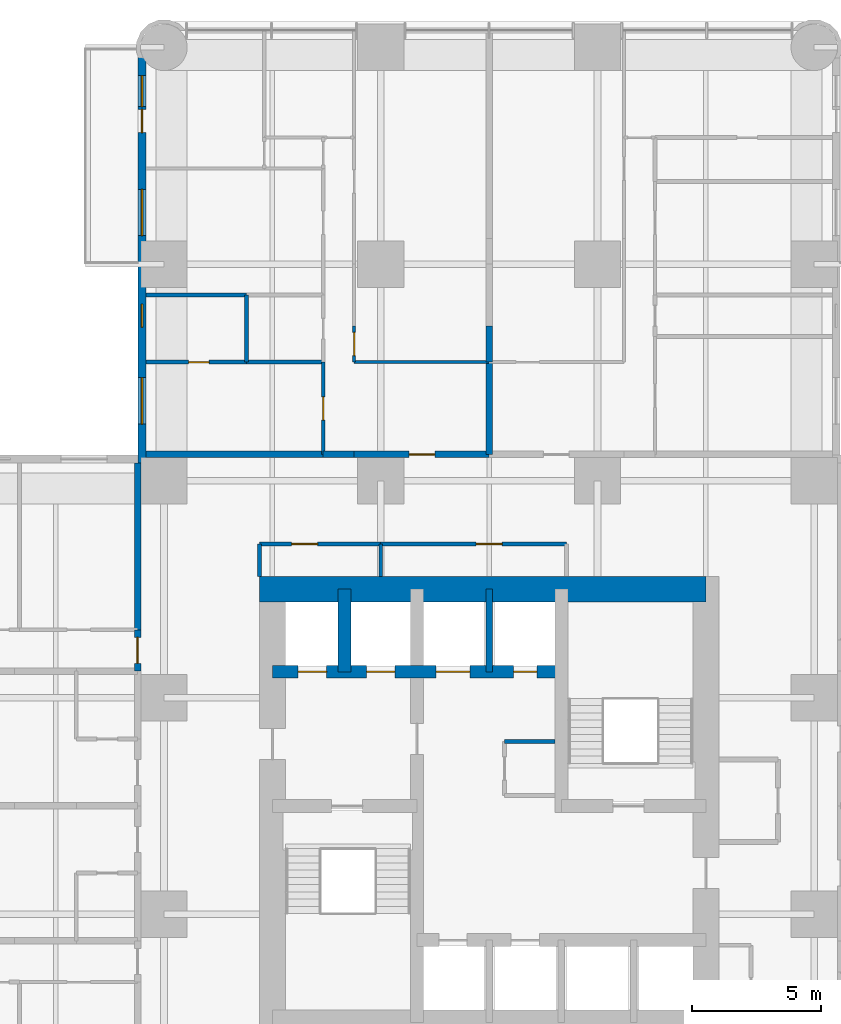
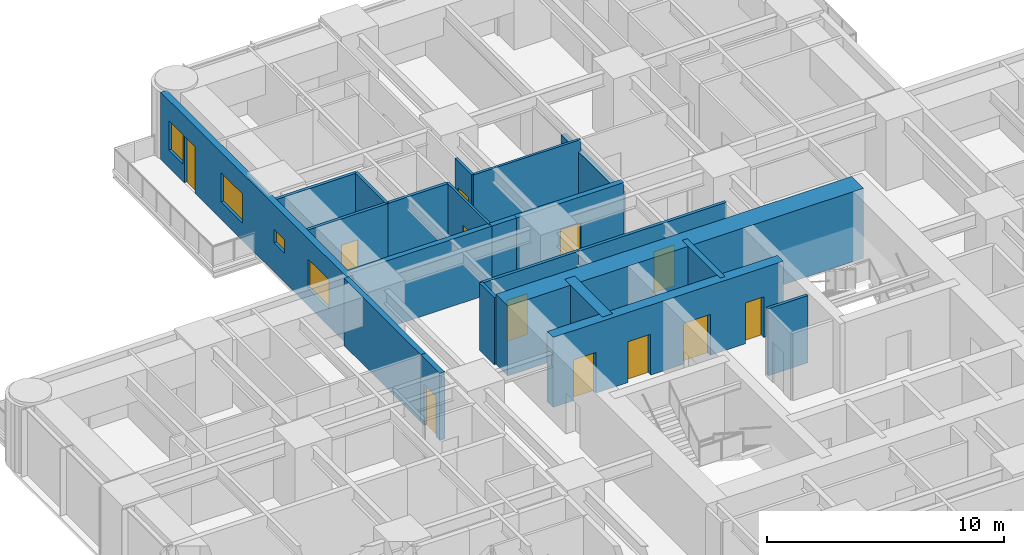
# One storey, part 12 of 17: 24 walls, 12 doors, 4 windows, 16 openings.
"""IFC4 building model written with IfcOpenShell, lengths in metres."""

from ifc_helpers import new_model, si_unit, direction, frame, frame_2d, origin, place, context, subcontext, project, spatial, rectangle, extrude, material, layer, layer_set, type_object, element, fill, save


model = new_model("IFC4")

# Units and contexts
model_context = context("Model", 3, precision=1e-05, world=origin(), true_north=direction((0.0, 1.0)))
body_context = subcontext(model_context, "Body", "Model", "MODEL_VIEW")
ifc_project = project(units=[si_unit("LENGTHUNIT", "METRE"), si_unit("AREAUNIT", "SQUARE_METRE"), si_unit("VOLUMEUNIT", "CUBIC_METRE"), si_unit("PLANEANGLEUNIT", "RADIAN"), si_unit("MASSUNIT", "GRAM", prefix="KILO")], contexts=[model_context])

# Site, building, storey
site_placement = place(None, origin())
site = spatial("IfcSite", under=ifc_project, at=site_placement, CompositionType="ELEMENT")
building_placement = place(site_placement, origin())
building = spatial("IfcBuilding", under=site, at=building_placement, Name="Torre Alcanfor", CompositionType="ELEMENT")
storey_placement = place(building_placement, frame((0.0, 0.0, 77.699951171875)))
storey = spatial("IfcBuildingStorey", under=building, at=storey_placement, Name="L19", CompositionType="ELEMENT", Elevation=77.699951171875)

# Wall, opening, door
ifc_material_1 = material(Name="Concrete block masonry, hollow blocks NMX-C-404 9 MPa", Category="masonry")
ifc_layer_1 = layer(ifc_material_1, 0.25)
ifc_layer_set_1 = layer_set([ifc_layer_1], Name="Apartment entrance wall 250 EI 60")
wall_type_1 = type_object("IfcWallType", Name="Apartment entrance wall 250 EI 60", PredefinedType="PARTITIONING", material=ifc_layer_set_1)
wall_1_placement = place(storey_placement, frame((24.1708984375, 43.02490234375, 0.0), z_axis=(0.0, 0.0, 1.0), x_axis=(1.0, 0.0, 0.0)))
wall_1 = element("IfcWall", 1, at=wall_1_placement, inside=storey, type_object=wall_type_1, Name="Partition L19-CORR / L19-N1-ZAG", PredefinedType="PARTITIONING", context=body_context, shape_type="SweptSolid", body=[
    extrude(rectangle(XDim=5.22900390625, YDim=0.25, at=frame_2d((2.614501953125, 0.0))), origin(), (0.0, 0.0, 1.0), 3.449951171875),
])
opening_1_placement = place(wall_1_placement, frame((2.12890625, 0.0, 0.0)))
opening_1 = element("IfcOpeningElement", 2, at=opening_1_placement, cuts=wall_1, Name="Opening D-A1", PredefinedType="OPENING", context=body_context, shape_type="SweptSolid", body=[
    extrude(rectangle(XDim=1.0, YDim=2.10009765625, at=frame_2d((0.5, 1.050048828125))), frame((0.0, 0.135009765625, 0.0), z_axis=(0.0, -1.0, 0.0), x_axis=(1.0, 0.0, 0.0)), (0.0, 0.0, 1.0), 0.27001953125),
])
ifc_material_2 = material(Name="Galvanised steel sheet ASTM A653", Category="steel")
door_type_1 = type_object("IfcDoorType", Name="Apartment entrance door FD60 1000x2100", OperationType="SINGLE_SWING_LEFT", PredefinedType="DOOR", material=ifc_material_2)
door_1_placement = place(opening_1_placement, origin())
door_1 = element("IfcDoor", 3, at=door_1_placement, inside=storey, type_object=door_type_1, Name="Apartment entrance L19-N1", OperationType="SINGLE_SWING_RIGHT", OverallHeight=2.10009765625, OverallWidth=1.0, PredefinedType="DOOR", context=body_context, shape_type="SweptSolid", body=[
    extrude(rectangle(XDim=1.0, YDim=2.10009765625, at=frame_2d((0.5, 1.050048828125))), frame((0.0, 0.02490234375, 0.0), z_axis=(0.0, -1.0, 0.0), x_axis=(1.0, 0.0, 0.0)), (0.0, 0.0, 1.0), 0.050048828125),
])
fill(opening_1, door_1)

# Walls
wall_2_placement = place(storey_placement, frame((22.970947265625, 43.02490234375, 0.0), z_axis=(0.0, 0.0, 1.0), x_axis=(1.0, 0.0, 0.0)))
element("IfcWall", 4, at=wall_2_placement, inside=storey, type_object=wall_type_1, Name="Partition L19-CORR / L19-N1-HALL", PredefinedType="PARTITIONING", context=body_context, shape_type="SweptSolid", body=[
    extrude(rectangle(XDim=1.199951171875, YDim=0.25, at=frame_2d((0.60009765625, 0.0))), origin(), (0.0, 0.0, 1.0), 3.449951171875),
])
wall_3_placement = place(storey_placement, frame((16.10009765625, 43.02490234375, 0.0), z_axis=(0.0, 0.0, 1.0), x_axis=(1.0, 0.0, 0.0)))
element("IfcWall", 5, at=wall_3_placement, inside=storey, type_object=wall_type_1, Name="Partition L19-CORR / L19-N1-SERV", PredefinedType="PARTITIONING", context=body_context, shape_type="SweptSolid", body=[
    extrude(rectangle(XDim=6.870849609375, YDim=0.25, at=frame_2d((3.435546875, 0.0))), origin(), (0.0, 0.0, 1.0), 3.449951171875),
])

# Wall, opening, door
wall_4_placement = place(storey_placement, frame((15.77490234375, 34.62890625, 0.0), z_axis=(0.0, 0.0, 1.0), x_axis=(0.0, 1.0, 0.0)))
wall_4 = element("IfcWall", 6, at=wall_4_placement, inside=storey, type_object=wall_type_1, Name="Partition L19-CORR / L19-W2B-HALL", PredefinedType="PARTITIONING", context=body_context, shape_type="SweptSolid", body=[
    extrude(rectangle(XDim=1.60009765625, YDim=0.25, at=frame_2d((0.800048828125, 0.0))), origin(), (0.0, 0.0, 1.0), 3.449951171875),
])
opening_2_placement = place(wall_4_placement, frame((0.300048828125, 0.0, 0.0)))
opening_2 = element("IfcOpeningElement", 7, at=opening_2_placement, cuts=wall_4, Name="Opening D-A1", PredefinedType="OPENING", context=body_context, shape_type="SweptSolid", body=[
    extrude(rectangle(XDim=1.0, YDim=2.10009765625, at=frame_2d((0.5, 1.050048828125))), frame((0.0, 0.135009765625, 0.0), z_axis=(0.0, -1.0, 0.0), x_axis=(1.0, 0.0, 0.0)), (0.0, 0.0, 1.0), 0.27001953125),
])
door_2_placement = place(opening_2_placement, origin())
door_2 = element("IfcDoor", 8, at=door_2_placement, inside=storey, type_object=door_type_1, Name="Apartment entrance L19-W2B", OperationType="SINGLE_SWING_LEFT", OverallHeight=2.10009765625, OverallWidth=1.0, PredefinedType="DOOR", context=body_context, shape_type="SweptSolid", body=[
    extrude(rectangle(XDim=1.0, YDim=2.10009765625, at=frame_2d((0.5, 1.050048828125))), frame((0.0, 0.02490234375, 0.0), z_axis=(0.0, -1.0, 0.0), x_axis=(1.0, 0.0, 0.0)), (0.0, 0.0, 1.0), 0.050048828125),
])
fill(opening_2, door_2)

# Walls
wall_5_placement = place(storey_placement, frame((15.77490234375, 36.22900390625, 0.0), z_axis=(0.0, 0.0, 1.0), x_axis=(0.0, 1.0, 0.0)))
element("IfcWall", 9, at=wall_5_placement, inside=storey, type_object=wall_type_1, Name="Partition L19-CORR / L19-W2B-MASTER", PredefinedType="PARTITIONING", context=body_context, shape_type="SweptSolid", body=[
    extrude(rectangle(XDim=6.470947265625, YDim=0.25, at=frame_2d((3.2353515625, 0.0))), origin(), (0.0, 0.0, 1.0), 3.449951171875),
])
ifc_material_3 = material(Name="Gypsum board on steel studs", Category="steel")
ifc_layer_2 = layer(ifc_material_3, 0.1201171875)
ifc_layer_set_2 = layer_set([ifc_layer_2], Name="Apartment partition 120")
wall_type_2 = type_object("IfcWallType", Name="Apartment partition 120", PredefinedType="PARTITIONING", material=ifc_layer_set_2)
wall_6_placement = place(storey_placement, frame((29.39990234375, 46.60009765625, 0.0), z_axis=(0.0, 0.0, 1.0), x_axis=(-1.0, 0.0, 0.0)))
element("IfcWall", 10, at=wall_6_placement, inside=storey, type_object=wall_type_2, Name="Partition L19-N1-ZAG / L19-N1-LAUND", PredefinedType="PARTITIONING", context=body_context, shape_type="SweptSolid", body=[
    extrude(rectangle(XDim=5.22900390625, YDim=0.1201171875, at=frame_2d((2.614501953125, 0.0))), origin(), (0.0, 0.0, 1.0), 3.449951171875),
])

# Wall, opening, door
wall_7_placement = place(storey_placement, frame((24.1708984375, 48.0, 0.0), z_axis=(0.0, 0.0, 1.0), x_axis=(0.0, -1.0, 0.0)))
wall_7 = element("IfcWall", 11, at=wall_7_placement, inside=storey, type_object=wall_type_2, Name="Partition L19-N1-LAUND / L19-N1-HALL", PredefinedType="PARTITIONING", context=body_context, shape_type="SweptSolid", body=[
    extrude(rectangle(XDim=1.39990234375, YDim=0.1201171875, at=frame_2d((0.699951171875, 0.0))), origin(), (0.0, 0.0, 1.0), 3.449951171875),
])
opening_3_placement = place(wall_7_placement, frame((0.25, 0.0, 0.0)))
opening_3 = element("IfcOpeningElement", 12, at=opening_3_placement, cuts=wall_7, Name="Opening D-R1", PredefinedType="OPENING", context=body_context, shape_type="SweptSolid", body=[
    extrude(rectangle(XDim=0.89990234375, YDim=2.10009765625, at=frame_2d((0.449951171875, 1.050048828125))), frame((0.0, 0.070068359375, 0.0), z_axis=(0.0, -1.0, 0.0), x_axis=(1.0, 0.0, 0.0)), (0.0, 0.0, 1.0), 0.14013671875),
])
ifc_material_4 = material(Name="Timber", Category="wood")
door_type_2 = type_object("IfcDoorType", Name="Internal door 900x2100", OperationType="SINGLE_SWING_LEFT", PredefinedType="DOOR", material=ifc_material_4)
door_3_placement = place(opening_3_placement, origin())
door_3 = element("IfcDoor", 13, at=door_3_placement, inside=storey, type_object=door_type_2, Name="Door L19-N1 laund", OperationType="SINGLE_SWING_LEFT", OverallHeight=2.10009765625, OverallWidth=0.89990234375, PredefinedType="DOOR", context=body_context, shape_type="SweptSolid", body=[
    extrude(rectangle(XDim=0.89990234375, YDim=2.10009765625, at=frame_2d((0.449951171875, 1.050048828125))), frame((0.0, 0.02490234375, 0.0), z_axis=(0.0, -1.0, 0.0), x_axis=(1.0, 0.0, 0.0)), (0.0, 0.0, 1.0), 0.050048828125),
])
fill(opening_3, door_3)

wall_8_placement = place(storey_placement, frame((22.970947265625, 46.60009765625, 0.0), z_axis=(0.0, 0.0, 1.0), x_axis=(0.0, -1.0, 0.0)))
wall_8 = element("IfcWall", 14, at=wall_8_placement, inside=storey, type_object=wall_type_2, Name="Partition L19-N1-HALL / L19-N1-SERV", PredefinedType="PARTITIONING", context=body_context, shape_type="SweptSolid", body=[
    extrude(rectangle(XDim=3.5751953125, YDim=0.1201171875, at=frame_2d((1.78759765625, 0.0))), origin(), (0.0, 0.0, 1.0), 3.449951171875),
])
opening_4_placement = place(wall_8_placement, frame((1.35009765625, 0.0, 0.0)))
opening_4 = element("IfcOpeningElement", 15, at=opening_4_placement, cuts=wall_8, Name="Opening D-R1", PredefinedType="OPENING", context=body_context, shape_type="SweptSolid", body=[
    extrude(rectangle(XDim=0.89990234375, YDim=2.10009765625, at=frame_2d((0.449951171875, 1.050048828125))), frame((0.0, 0.070068359375, 0.0), z_axis=(0.0, -1.0, 0.0), x_axis=(1.0, 0.0, 0.0)), (0.0, 0.0, 1.0), 0.14013671875),
])
door_4_placement = place(opening_4_placement, frame((0.89990234375, 0.0, 0.0), z_axis=(0.0, 0.0, 1.0), x_axis=(-1.0, 0.0, 0.0)))
door_4 = element("IfcDoor", 16, at=door_4_placement, inside=storey, type_object=door_type_2, Name="Door L19-N1 serv", OperationType="SINGLE_SWING_LEFT", OverallHeight=2.10009765625, OverallWidth=0.89990234375, PredefinedType="DOOR", context=body_context, shape_type="SweptSolid", body=[
    extrude(rectangle(XDim=0.89990234375, YDim=2.10009765625, at=frame_2d((0.449951171875, 1.050048828125))), frame((0.0, 0.025146484375, 0.0), z_axis=(0.0, -1.0, 0.0), x_axis=(1.0, 0.0, 0.0)), (0.0, 0.0, 1.0), 0.050048828125),
])
fill(opening_4, door_4)

# Wall, openings, doors
ifc_material_5 = material(Name="Concrete f'c 70 MPa", Category="concrete")
ifc_layer_3 = layer(ifc_material_5, 0.5)
ifc_layer_set_3 = layer_set([ifc_layer_3], Name="Core inner wall 500 f'c70")
wall_type_3 = type_object("IfcWallType", Name="Core inner wall 500 f'c70", PredefinedType="SHEAR", material=ifc_layer_set_3)
wall_9_placement = place(storey_placement, frame((21.0, 34.60009765625, 0.0), z_axis=(0.0, 0.0, 1.0), x_axis=(1.0, 0.0, 0.0)))
wall_9 = element("IfcWall", 17, at=wall_9_placement, inside=storey, type_object=wall_type_3, Name="Core wall Y346 L19", PredefinedType="SHEAR", context=body_context, shape_type="SweptSolid", body=[
    extrude(rectangle(XDim=11.199951171875, YDim=0.5, at=frame_2d((5.60009765625, 0.0))), origin(), (0.0, 0.0, 1.0), 3.60009765625),
])
opening_5_placement = place(wall_9_placement, frame((9.35009765625, 0.0, 0.0)))
opening_5 = element("IfcOpeningElement", 18, at=opening_5_placement, cuts=wall_9, Name="Opening D-Q1", PredefinedType="OPENING", context=body_context, shape_type="SweptSolid", body=[
    extrude(rectangle(XDim=0.89990234375, YDim=2.10009765625, at=frame_2d((0.449951171875, 1.050048828125))), frame((0.0, 0.260009765625, 0.0), z_axis=(0.0, -1.0, 0.0), x_axis=(1.0, 0.0, 0.0)), (0.0, 0.0, 1.0), 0.52001953125),
])
opening_6_placement = place(wall_9_placement, frame((1.0, 0.0, 0.0)))
opening_6 = element("IfcOpeningElement", 19, at=opening_6_placement, cuts=wall_9, Name="Opening LD2", PredefinedType="OPENING", context=body_context, shape_type="SweptSolid", body=[
    extrude(rectangle(XDim=1.10009765625, YDim=2.10009765625, at=frame_2d((0.550048828125, 1.050048828125))), frame((0.0, 0.260009765625, 0.0), z_axis=(0.0, -1.0, 0.0), x_axis=(1.0, 0.0, 0.0)), (0.0, 0.0, 1.0), 0.52001953125),
])
opening_7_placement = place(wall_9_placement, frame((3.64990234375, 0.0, 0.0)))
opening_7 = element("IfcOpeningElement", 20, at=opening_7_placement, cuts=wall_9, Name="Opening LD2", PredefinedType="OPENING", context=body_context, shape_type="SweptSolid", body=[
    extrude(rectangle(XDim=1.10009765625, YDim=2.10009765625, at=frame_2d((0.550048828125, 1.050048828125))), frame((0.0, 0.260009765625, 0.0), z_axis=(0.0, -1.0, 0.0), x_axis=(1.0, 0.0, 0.0)), (0.0, 0.0, 1.0), 0.52001953125),
])
opening_8_placement = place(wall_9_placement, frame((6.35009765625, 0.0, 0.0)))
opening_8 = element("IfcOpeningElement", 21, at=opening_8_placement, cuts=wall_9, Name="Opening LD3", PredefinedType="OPENING", context=body_context, shape_type="SweptSolid", body=[
    extrude(rectangle(XDim=1.300048828125, YDim=2.10009765625, at=frame_2d((0.64990234375, 1.050048828125))), frame((0.0, 0.260009765625, 0.0), z_axis=(0.0, -1.0, 0.0), x_axis=(1.0, 0.0, 0.0)), (0.0, 0.0, 1.0), 0.52001953125),
])
ifc_material_6 = material(Name="Galvanised steel sheet ASTM A653", Category="steel")
door_type_3 = type_object("IfcDoorType", Name="Firefighting lift landing door 1100x2100", OperationType="DOUBLE_DOOR_SLIDING", PredefinedType="DOOR", material=ifc_material_6)
door_5_placement = place(opening_6_placement, origin())
door_5 = element("IfcDoor", 22, at=door_5_placement, inside=storey, type_object=door_type_3, Name="Lift landing door FL1 L19", OperationType="DOUBLE_DOOR_SLIDING", OverallHeight=2.10009765625, OverallWidth=1.10009765625, PredefinedType="DOOR", context=body_context, shape_type="SweptSolid", body=[
    extrude(rectangle(XDim=1.10009765625, YDim=2.10009765625, at=frame_2d((0.550048828125, 1.050048828125))), frame((0.0, 0.02490234375, 0.0), z_axis=(0.0, -1.0, 0.0), x_axis=(1.0, 0.0, 0.0)), (0.0, 0.0, 1.0), 0.050048828125),
])
fill(opening_6, door_5)
door_6_placement = place(opening_7_placement, origin())
door_6 = element("IfcDoor", 23, at=door_6_placement, inside=storey, type_object=door_type_3, Name="Lift landing door FL2 L19", OperationType="DOUBLE_DOOR_SLIDING", OverallHeight=2.10009765625, OverallWidth=1.10009765625, PredefinedType="DOOR", context=body_context, shape_type="SweptSolid", body=[
    extrude(rectangle(XDim=1.10009765625, YDim=2.10009765625, at=frame_2d((0.550048828125, 1.050048828125))), frame((0.0, 0.02490234375, 0.0), z_axis=(0.0, -1.0, 0.0), x_axis=(1.0, 0.0, 0.0)), (0.0, 0.0, 1.0), 0.050048828125),
])
fill(opening_7, door_6)
ifc_material_7 = material(Name="Galvanised steel sheet ASTM A653", Category="steel")
door_type_4 = type_object("IfcDoorType", Name="Riser access door FD120 900x2100", OperationType="SINGLE_SWING_LEFT", PredefinedType="DOOR", material=ifc_material_7)
door_7_placement = place(opening_5_placement, origin())
door_7 = element("IfcDoor", 24, at=door_7_placement, inside=storey, type_object=door_type_4, Name="Riser door L19", OperationType="SINGLE_SWING_LEFT", OverallHeight=2.10009765625, OverallWidth=0.89990234375, PredefinedType="DOOR", context=body_context, shape_type="SweptSolid", body=[
    extrude(rectangle(XDim=0.89990234375, YDim=2.10009765625, at=frame_2d((0.449951171875, 1.050048828125))), frame((0.0, 0.02490234375, 0.0), z_axis=(0.0, -1.0, 0.0), x_axis=(1.0, 0.0, 0.0)), (0.0, 0.0, 1.0), 0.050048828125),
])
fill(opening_5, door_7)
ifc_material_8 = material(Name="Galvanised steel sheet ASTM A653", Category="steel")
door_type_5 = type_object("IfcDoorType", Name="Service lift landing door 1300x2100", OperationType="DOUBLE_DOOR_SLIDING", PredefinedType="DOOR", material=ifc_material_8)
door_8_placement = place(opening_8_placement, origin())
door_8 = element("IfcDoor", 25, at=door_8_placement, inside=storey, type_object=door_type_5, Name="Lift landing door SL1 L19", OperationType="DOUBLE_DOOR_SLIDING", OverallHeight=2.10009765625, OverallWidth=1.300048828125, PredefinedType="DOOR", context=body_context, shape_type="SweptSolid", body=[
    extrude(rectangle(XDim=1.300048828125, YDim=2.10009765625, at=frame_2d((0.64990234375, 1.050048828125))), frame((0.0, 0.02490234375, 0.0), z_axis=(0.0, -1.0, 0.0), x_axis=(1.0, 0.0, 0.0)), (0.0, 0.0, 1.0), 0.050048828125),
])
fill(opening_8, door_8)

# Walls
wall_10_placement = place(storey_placement, frame((23.800048828125, 34.60009765625, 0.0), z_axis=(0.0, 0.0, 1.0), x_axis=(0.0, 1.0, 0.0)))
element("IfcWall", 26, at=wall_10_placement, inside=storey, type_object=wall_type_3, Name="Core wall X238 L19", PredefinedType="SHEAR", context=body_context, shape_type="SweptSolid", body=[
    extrude(rectangle(XDim=3.199951171875, YDim=0.5, at=frame_2d((1.60009765625, 0.0))), origin(), (0.0, 0.0, 1.0), 3.60009765625),
])
ifc_material_9 = material(Name="Concrete f'c 70 MPa", Category="concrete")
ifc_layer_4 = layer(ifc_material_9, 0.25)
ifc_layer_set_4 = layer_set([ifc_layer_4], Name="Core shaft wall 250 f'c70")
wall_type_4 = type_object("IfcWallType", Name="Core shaft wall 250 f'c70", PredefinedType="SHEAR", material=ifc_layer_set_4)
wall_11_placement = place(storey_placement, frame((29.39990234375, 34.60009765625, 0.0), z_axis=(0.0, 0.0, 1.0), x_axis=(0.0, 1.0, 0.0)))
element("IfcWall", 27, at=wall_11_placement, inside=storey, type_object=wall_type_4, Name="Core wall X294N L19", PredefinedType="SHEAR", context=body_context, shape_type="SweptSolid", body=[
    extrude(rectangle(XDim=3.199951171875, YDim=0.25, at=frame_2d((1.60009765625, 0.0))), origin(), (0.0, 0.0, 1.0), 3.60009765625),
])
ifc_material_10 = material(Name="Concrete f'c 70 MPa", Category="concrete")
ifc_layer_5 = layer(ifc_material_10, 1.0)
ifc_layer_set_5 = layer_set([ifc_layer_5], Name="Core wall 1000 f'c70")
wall_type_5 = type_object("IfcWallType", Name="Core wall 1000 f'c70", PredefinedType="SHEAR", material=ifc_layer_set_5)
wall_12_placement = place(storey_placement, frame((37.800048828125, 37.800048828125, 0.0), z_axis=(0.0, 0.0, 1.0), x_axis=(-1.0, 0.0, 0.0)))
element("IfcWall", 28, at=wall_12_placement, inside=storey, type_object=wall_type_5, Name="Core wall OUT-N L19", PredefinedType="SHEAR", context=body_context, shape_type="SweptSolid", body=[
    extrude(rectangle(XDim=17.300048828125, YDim=1.0, at=frame_2d((8.64990234375, 0.0))), origin(), (0.0, 0.0, 1.0), 3.60009765625),
])

# Wall, openings, door, windows
ifc_material_11 = material(Name="Limestone cladding", Category="masonry")
ifc_layer_6 = layer(ifc_material_11, 0.0400390625, Name="Facing")
ifc_material_12 = material(Name="Ventilated air cavity")
ifc_layer_7 = layer(ifc_material_12, 0.02001953125, ventilated=True, Name="Ventilated joint")
ifc_material_13 = material(Name="Mineral wool insulation", Category="insulation")
ifc_layer_8 = layer(ifc_material_13, 0.10009765625, Name="Insulation")
ifc_material_14 = material(Name="Concrete f'c 35 MPa", Category="concrete")
ifc_layer_9 = layer(ifc_material_14, 0.139892578125, Name="Backing")
ifc_layer_set_6 = layer_set([ifc_layer_6, ifc_layer_7, ifc_layer_8, ifc_layer_9], Name="External wall stone-clad 300")
wall_type_6 = type_object("IfcWallType", Name="External wall stone-clad 300", PredefinedType="SOLIDWALL", material=ifc_layer_set_6)
wall_13_placement = place(storey_placement, frame((15.949951171875, 58.39990234375, 0.0), z_axis=(0.0, 0.0, 1.0), x_axis=(0.0, -1.0, 0.0)))
wall_13 = element("IfcWall", 29, at=wall_13_placement, inside=storey, type_object=wall_type_6, Name="External wall L19 12", PredefinedType="SOLIDWALL", context=body_context, shape_type="SweptSolid", body=[
    extrude(rectangle(XDim=15.699951171875, YDim=0.300048828125, at=frame_2d((7.85009765625, 0.0))), origin(), (0.0, 0.0, 1.0), 3.449951171875),
])
opening_9_placement = place(wall_13_placement, frame((12.39990234375, 0.0, 0.89990234375)))
opening_9 = element("IfcOpeningElement", 30, at=opening_9_placement, cuts=wall_13, Name="Opening W2", PredefinedType="OPENING", context=body_context, shape_type="SweptSolid", body=[
    extrude(rectangle(XDim=1.800048828125, YDim=1.5, at=frame_2d((0.89990234375, 0.75))), frame((0.0, 0.159912109375, 0.0), z_axis=(0.0, -1.0, 0.0), x_axis=(1.0, 0.0, 0.0)), (0.0, 0.0, 1.0), 0.320068359375),
])
opening_10_placement = place(wall_13_placement, frame((9.550048828125, 0.0, 1.5)))
opening_10 = element("IfcOpeningElement", 31, at=opening_10_placement, cuts=wall_13, Name="Opening W3", PredefinedType="OPENING", context=body_context, shape_type="SweptSolid", body=[
    extrude(rectangle(XDim=0.89990234375, YDim=0.699951171875, at=frame_2d((0.449951171875, 0.35009765625))), frame((0.0, 0.159912109375, 0.0), z_axis=(0.0, -1.0, 0.0), x_axis=(1.0, 0.0, 0.0)), (0.0, 0.0, 1.0), 0.320068359375),
])
opening_11_placement = place(wall_13_placement, frame((5.10009765625, 0.0, 0.89990234375)))
opening_11 = element("IfcOpeningElement", 32, at=opening_11_placement, cuts=wall_13, Name="Opening W2", PredefinedType="OPENING", context=body_context, shape_type="SweptSolid", body=[
    extrude(rectangle(XDim=1.800048828125, YDim=1.5, at=frame_2d((0.89990234375, 0.75))), frame((0.0, 0.159912109375, 0.0), z_axis=(0.0, -1.0, 0.0), x_axis=(1.0, 0.0, 0.0)), (0.0, 0.0, 1.0), 0.320068359375),
])
opening_12_placement = place(wall_13_placement, frame((2.0, 0.0, 0.0)))
opening_12 = element("IfcOpeningElement", 33, at=opening_12_placement, cuts=wall_13, Name="Opening D-B1", PredefinedType="OPENING", context=body_context, shape_type="SweptSolid", body=[
    extrude(rectangle(XDim=0.89990234375, YDim=2.39990234375, at=frame_2d((0.449951171875, 1.199951171875))), frame((0.0, 0.159912109375, 0.0), z_axis=(0.0, -1.0, 0.0), x_axis=(1.0, 0.0, 0.0)), (0.0, 0.0, 1.0), 0.320068359375),
])
opening_13_placement = place(wall_13_placement, frame((0.699951171875, 0.0, 0.89990234375)))
opening_13 = element("IfcOpeningElement", 34, at=opening_13_placement, cuts=wall_13, Name="Opening W4", PredefinedType="OPENING", context=body_context, shape_type="SweptSolid", body=[
    extrude(rectangle(XDim=1.199951171875, YDim=1.5, at=frame_2d((0.60009765625, 0.75))), frame((0.0, 0.159912109375, 0.0), z_axis=(0.0, -1.0, 0.0), x_axis=(1.0, 0.0, 0.0)), (0.0, 0.0, 1.0), 0.320068359375),
])
ifc_material_15 = material(Name="Aluminium and glass", Category="aluminium")
door_type_6 = type_object("IfcDoorType", Name="Balcony door glazed 900x2400", OperationType="SINGLE_SWING_LEFT", PredefinedType="DOOR", material=ifc_material_15)
door_9_placement = place(opening_12_placement, origin())
door_9 = element("IfcDoor", 35, at=door_9_placement, inside=storey, type_object=door_type_6, Name="Balcony door L19-N1", OperationType="SINGLE_SWING_RIGHT", OverallHeight=2.39990234375, OverallWidth=0.89990234375, PredefinedType="DOOR", context=body_context, shape_type="SweptSolid", body=[
    extrude(rectangle(XDim=0.89990234375, YDim=2.39990234375, at=frame_2d((0.449951171875, 1.199951171875))), frame((0.0, 0.02490234375, 0.0), z_axis=(0.0, -1.0, 0.0), x_axis=(1.0, 0.0, 0.0)), (0.0, 0.0, 1.0), 0.050048828125),
])
fill(opening_12, door_9)
ifc_material_16 = material(Name="Aluminium frame with clear double glazing", Category="aluminium")
window_type_1 = type_object("IfcWindowType", Name="Window bathroom 900x700", PartitioningType="SINGLE_PANEL", PredefinedType="WINDOW", material=ifc_material_16)
window_1_placement = place(opening_10_placement, origin())
window_1 = element("IfcWindow", 36, at=window_1_placement, inside=storey, type_object=window_type_1, Name="Window W3 L19-N1", OverallHeight=0.699951171875, OverallWidth=0.89990234375, PartitioningType="SINGLE_PANEL", PredefinedType="WINDOW", context=body_context, shape_type="SweptSolid", body=[
    extrude(rectangle(XDim=0.89990234375, YDim=0.699951171875, at=frame_2d((0.449951171875, 0.35009765625))), frame((0.0, 0.030029296875, 0.0), z_axis=(0.0, -1.0, 0.0), x_axis=(1.0, 0.0, 0.0)), (0.0, 0.0, 1.0), 0.06005859375),
])
fill(opening_10, window_1)
ifc_material_17 = material(Name="Aluminium frame with clear double glazing", Category="aluminium")
window_type_2 = type_object("IfcWindowType", Name="Window bedroom 1200x1500", PartitioningType="SINGLE_PANEL", PredefinedType="WINDOW", material=ifc_material_17)
window_2_placement = place(opening_13_placement, origin())
window_2 = element("IfcWindow", 37, at=window_2_placement, inside=storey, type_object=window_type_2, Name="Window W4 L19-N1", OverallHeight=1.5, OverallWidth=1.199951171875, PartitioningType="SINGLE_PANEL", PredefinedType="WINDOW", context=body_context, shape_type="SweptSolid", body=[
    extrude(rectangle(XDim=1.199951171875, YDim=1.5, at=frame_2d((0.60009765625, 0.75))), frame((0.0, 0.030029296875, 0.0), z_axis=(0.0, -1.0, 0.0), x_axis=(1.0, 0.0, 0.0)), (0.0, 0.0, 1.0), 0.06005859375),
])
fill(opening_13, window_2)
ifc_material_18 = material(Name="Aluminium frame with clear double glazing", Category="aluminium")
window_type_3 = type_object("IfcWindowType", Name="Window bedroom 1800x1500", PartitioningType="SINGLE_PANEL", PredefinedType="WINDOW", material=ifc_material_18)
window_3_placement = place(opening_9_placement, origin())
window_3 = element("IfcWindow", 38, at=window_3_placement, inside=storey, type_object=window_type_3, Name="Window W2 L19-N1", OverallHeight=1.5, OverallWidth=1.800048828125, PartitioningType="SINGLE_PANEL", PredefinedType="WINDOW", context=body_context, shape_type="SweptSolid", body=[
    extrude(rectangle(XDim=1.800048828125, YDim=1.5, at=frame_2d((0.89990234375, 0.75))), frame((0.0, 0.030029296875, 0.0), z_axis=(0.0, -1.0, 0.0), x_axis=(1.0, 0.0, 0.0)), (0.0, 0.0, 1.0), 0.06005859375),
])
fill(opening_9, window_3)
window_4_placement = place(opening_11_placement, origin())
window_4 = element("IfcWindow", 39, at=window_4_placement, inside=storey, type_object=window_type_3, Name="Window W2 L19-N1", OverallHeight=1.5, OverallWidth=1.800048828125, PartitioningType="SINGLE_PANEL", PredefinedType="WINDOW", context=body_context, shape_type="SweptSolid", body=[
    extrude(rectangle(XDim=1.800048828125, YDim=1.5, at=frame_2d((0.89990234375, 0.75))), frame((0.0, 0.030029296875, 0.0), z_axis=(0.0, -1.0, 0.0), x_axis=(1.0, 0.0, 0.0)), (0.0, 0.0, 1.0), 0.06005859375),
])
fill(opening_11, window_4)

# Walls
ifc_material_19 = material(Name="Concrete block masonry, hollow blocks NMX-C-404 9 MPa", Category="masonry")
ifc_layer_10 = layer(ifc_material_19, 0.25)
ifc_layer_set_7 = layer_set([ifc_layer_10], Name="Party wall 250 EI 60")
wall_type_7 = type_object("IfcWallType", Name="Party wall 250 EI 60", PredefinedType="PARTITIONING", material=ifc_layer_set_7)
wall_14_placement = place(storey_placement, frame((29.39990234375, 43.02490234375, 0.0), z_axis=(0.0, 0.0, 1.0), x_axis=(0.0, 1.0, 0.0)))
element("IfcWall", 40, at=wall_14_placement, inside=storey, type_object=wall_type_7, Name="Partition L19-N1-ZAG / L19-N2-ZAG", PredefinedType="PARTITIONING", context=body_context, shape_type="SweptSolid", body=[
    extrude(rectangle(XDim=3.5751953125, YDim=0.25, at=frame_2d((1.78759765625, 0.0))), origin(), (0.0, 0.0, 1.0), 2.84814453125),
])
wall_15_placement = place(storey_placement, frame((29.39990234375, 46.60009765625, 0.0), z_axis=(0.0, 0.0, 1.0), x_axis=(0.0, 1.0, 0.0)))
element("IfcWall", 41, at=wall_15_placement, inside=storey, type_object=wall_type_7, Name="Partition L19-N1-LAUND / L19-N2-KITCHEN", PredefinedType="PARTITIONING", context=body_context, shape_type="SweptSolid", body=[
    extrude(rectangle(XDim=1.39990234375, YDim=0.25, at=frame_2d((0.699951171875, 0.0))), origin(), (0.0, 0.0, 1.0), 2.84814453125),
])

# Wall, opening, door
ifc_material_20 = material(Name="Concrete block masonry, hollow blocks NMX-C-404 9 MPa", Category="masonry")
ifc_layer_11 = layer(ifc_material_20, 0.14990234375)
ifc_layer_set_8 = layer_set([ifc_layer_11], Name="Residents' room partition 150")
wall_type_8 = type_object("IfcWallType", Name="Residents' room partition 150", PredefinedType="PARTITIONING", material=ifc_layer_set_8)
wall_16_placement = place(storey_placement, frame((25.199951171875, 39.550048828125, 0.0), z_axis=(0.0, 0.0, 1.0), x_axis=(-1.0, 0.0, 0.0)))
wall_16 = element("IfcWall", 42, at=wall_16_placement, inside=storey, type_object=wall_type_8, Name="Partition L19-CORR / L19-G01", PredefinedType="PARTITIONING", context=body_context, shape_type="SweptSolid", body=[
    extrude(rectangle(XDim=4.699951171875, YDim=0.14990234375, at=frame_2d((2.35009765625, 0.0))), origin(), (0.0, 0.0, 1.0), 3.449951171875),
])
opening_14_placement = place(wall_16_placement, frame((2.449951171875, 0.0, 0.0)))
opening_14 = element("IfcOpeningElement", 43, at=opening_14_placement, cuts=wall_16, Name="Opening D-M1", PredefinedType="OPENING", context=body_context, shape_type="SweptSolid", body=[
    extrude(rectangle(XDim=1.0, YDim=2.10009765625, at=frame_2d((0.5, 1.050048828125))), frame((0.0, 0.0849609375, 0.0), z_axis=(0.0, -1.0, 0.0), x_axis=(1.0, 0.0, 0.0)), (0.0, 0.0, 1.0), 0.169921875),
])
ifc_material_21 = material(Name="Timber", Category="wood")
door_type_7 = type_object("IfcDoorType", Name="Residents' room door 1000x2100", OperationType="SINGLE_SWING_LEFT", PredefinedType="DOOR", material=ifc_material_21)
door_10_placement = place(opening_14_placement, origin())
door_10 = element("IfcDoor", 44, at=door_10_placement, inside=storey, type_object=door_type_7, Name="Door L19-G01 cleaners' store", OperationType="SINGLE_SWING_RIGHT", OverallHeight=2.10009765625, OverallWidth=1.0, PredefinedType="DOOR", context=body_context, shape_type="SweptSolid", body=[
    extrude(rectangle(XDim=1.0, YDim=2.10009765625, at=frame_2d((0.5, 1.050048828125))), frame((0.0, 0.02490234375, 0.0), z_axis=(0.0, -1.0, 0.0), x_axis=(1.0, 0.0, 0.0)), (0.0, 0.0, 1.0), 0.050048828125),
])
fill(opening_14, door_10)

# Wall
wall_17_placement = place(storey_placement, frame((20.5, 39.550048828125, 0.0), z_axis=(0.0, 0.0, 1.0), x_axis=(0.0, -1.0, 0.0)))
element("IfcWall", 45, at=wall_17_placement, inside=storey, type_object=wall_type_8, Name="Partition L19-CORR / L19-G01", PredefinedType="PARTITIONING", context=body_context, shape_type="SweptSolid", body=[
    extrude(rectangle(XDim=1.25, YDim=0.14990234375, at=frame_2d((0.625, 0.0))), origin(), (0.0, 0.0, 1.0), 3.449951171875),
])

# Wall, opening, door
wall_18_placement = place(storey_placement, frame((32.39990234375, 39.550048828125, 0.0), z_axis=(0.0, 0.0, 1.0), x_axis=(-1.0, 0.0, 0.0)))
wall_18 = element("IfcWall", 46, at=wall_18_placement, inside=storey, type_object=wall_type_8, Name="Partition L19-CORR / L19-G02", PredefinedType="PARTITIONING", context=body_context, shape_type="SweptSolid", body=[
    extrude(rectangle(XDim=7.199951171875, YDim=0.14990234375, at=frame_2d((3.60009765625, 0.0))), origin(), (0.0, 0.0, 1.0), 3.449951171875),
])
opening_15_placement = place(wall_18_placement, frame((2.5, 0.0, 0.0)))
opening_15 = element("IfcOpeningElement", 47, at=opening_15_placement, cuts=wall_18, Name="Opening D-M1", PredefinedType="OPENING", context=body_context, shape_type="SweptSolid", body=[
    extrude(rectangle(XDim=1.0, YDim=2.10009765625, at=frame_2d((0.5, 1.050048828125))), frame((0.0, 0.0849609375, 0.0), z_axis=(0.0, -1.0, 0.0), x_axis=(1.0, 0.0, 0.0)), (0.0, 0.0, 1.0), 0.169921875),
])
door_11_placement = place(opening_15_placement, origin())
door_11 = element("IfcDoor", 48, at=door_11_placement, inside=storey, type_object=door_type_7, Name="Door L19-G02 pram and buggy store", OperationType="SINGLE_SWING_LEFT", OverallHeight=2.10009765625, OverallWidth=1.0, PredefinedType="DOOR", context=body_context, shape_type="SweptSolid", body=[
    extrude(rectangle(XDim=1.0, YDim=2.10009765625, at=frame_2d((0.5, 1.050048828125))), frame((0.0, 0.02490234375, 0.0), z_axis=(0.0, -1.0, 0.0), x_axis=(1.0, 0.0, 0.0)), (0.0, 0.0, 1.0), 0.050048828125),
])
fill(opening_15, door_11)

# Walls
wall_19_placement = place(storey_placement, frame((25.199951171875, 38.300048828125, 0.0), z_axis=(0.0, 0.0, 1.0), x_axis=(0.0, 1.0, 0.0)))
element("IfcWall", 49, at=wall_19_placement, inside=storey, type_object=wall_type_8, Name="Partition L19-G01 / L19-G02", PredefinedType="PARTITIONING", context=body_context, shape_type="SweptSolid", body=[
    extrude(rectangle(XDim=1.25, YDim=0.14990234375, at=frame_2d((0.625, 0.0))), origin(), (0.0, 0.0, 1.0), 2.766845703125),
])
ifc_material_22 = material(Name="Cement board on steel studs", Category="steel")
ifc_layer_12 = layer(ifc_material_22, 0.14990234375)
ifc_layer_set_9 = layer_set([ifc_layer_12], Name="Wet area partition 150")
wall_type_9 = type_object("IfcWallType", Name="Wet area partition 150", PredefinedType="PARTITIONING", material=ifc_layer_set_9)
wall_20_placement = place(storey_placement, frame((22.970947265625, 46.60009765625, 0.0), z_axis=(0.0, 0.0, 1.0), x_axis=(-1.0, 0.0, 0.0)))
element("IfcWall", 50, at=wall_20_placement, inside=storey, type_object=wall_type_9, Name="Partition L19-N1-SERV / L19-N1-BATH1", PredefinedType="PARTITIONING", context=body_context, shape_type="SweptSolid", body=[
    extrude(rectangle(XDim=2.970947265625, YDim=0.14990234375, at=frame_2d((1.4853515625, 0.0))), origin(), (0.0, 0.0, 1.0), 3.449951171875),
])

# Wall, opening, door
wall_21_placement = place(storey_placement, frame((20.0, 46.60009765625, 0.0), z_axis=(0.0, 0.0, 1.0), x_axis=(-1.0, 0.0, 0.0)))
wall_21 = element("IfcWall", 51, at=wall_21_placement, inside=storey, type_object=wall_type_9, Name="Partition L19-N1-SERV / L19-N1-SBATH", PredefinedType="PARTITIONING", context=body_context, shape_type="SweptSolid", body=[
    extrude(rectangle(XDim=3.89990234375, YDim=0.14990234375, at=frame_2d((1.949951171875, 0.0))), origin(), (0.0, 0.0, 1.0), 3.449951171875),
])
opening_16_placement = place(wall_21_placement, frame((1.449951171875, 0.0, 0.0)))
opening_16 = element("IfcOpeningElement", 52, at=opening_16_placement, cuts=wall_21, Name="Opening D-R2", PredefinedType="OPENING", context=body_context, shape_type="SweptSolid", body=[
    extrude(rectangle(XDim=0.800048828125, YDim=2.10009765625, at=frame_2d((0.39990234375, 1.050048828125))), frame((0.0, 0.0849609375, 0.0), z_axis=(0.0, -1.0, 0.0), x_axis=(1.0, 0.0, 0.0)), (0.0, 0.0, 1.0), 0.169921875),
])
ifc_material_23 = material(Name="Timber", Category="wood")
door_type_8 = type_object("IfcDoorType", Name="Bathroom door 800x2100", OperationType="SINGLE_SWING_LEFT", PredefinedType="DOOR", material=ifc_material_23)
door_12_placement = place(opening_16_placement, frame((0.800048828125, 0.0, 0.0), z_axis=(0.0, 0.0, 1.0), x_axis=(-1.0, 0.0, 0.0)))
door_12 = element("IfcDoor", 53, at=door_12_placement, inside=storey, type_object=door_type_8, Name="Door L19-N1 sbath", OperationType="SINGLE_SWING_RIGHT", OverallHeight=2.10009765625, OverallWidth=0.800048828125, PredefinedType="DOOR", context=body_context, shape_type="SweptSolid", body=[
    extrude(rectangle(XDim=0.800048828125, YDim=2.10009765625, at=frame_2d((0.400146484375, 1.050048828125))), frame((0.0, 0.025146484375, 0.0), z_axis=(0.0, -1.0, 0.0), x_axis=(1.0, 0.0, 0.0)), (0.0, 0.0, 1.0), 0.050048828125),
])
fill(opening_16, door_12)

# Walls
wall_22_placement = place(storey_placement, frame((20.0, 49.199951171875, 0.0), z_axis=(0.0, 0.0, 1.0), x_axis=(0.0, -1.0, 0.0)))
element("IfcWall", 54, at=wall_22_placement, inside=storey, type_object=wall_type_9, Name="Partition L19-N1-BATH1 / L19-N1-SBATH", PredefinedType="PARTITIONING", context=body_context, shape_type="SweptSolid", body=[
    extrude(rectangle(XDim=2.599853515625, YDim=0.14990234375, at=frame_2d((1.2998046875, 0.0))), origin(), (0.0, 0.0, 1.0), 3.449951171875),
])
wall_23_placement = place(storey_placement, frame((20.0, 49.199951171875, 0.0), z_axis=(0.0, 0.0, 1.0), x_axis=(-1.0, 0.0, 0.0)))
element("IfcWall", 55, at=wall_23_placement, inside=storey, type_object=wall_type_9, Name="Partition L19-N1-SBATH / L19-N1-BED3", PredefinedType="PARTITIONING", context=body_context, shape_type="SweptSolid", body=[
    extrude(rectangle(XDim=3.89990234375, YDim=0.14990234375, at=frame_2d((1.949951171875, 0.0))), origin(), (0.0, 0.0, 1.0), 3.449951171875),
])
wall_24_placement = place(storey_placement, frame((30.0, 31.89990234375, 0.0), z_axis=(0.0, 0.0, 1.0), x_axis=(1.0, 0.0, 0.0)))
element("IfcWall", 56, at=wall_24_placement, inside=storey, type_object=wall_type_9, Name="Partition L19-LL / L19-CR1", PredefinedType="PARTITIONING", context=body_context, shape_type="SweptSolid", body=[
    extrude(rectangle(XDim=1.949951171875, YDim=0.14990234375, at=frame_2d((0.97509765625, 0.0))), origin(), (0.0, 0.0, 1.0), 3.449951171875),
])

save(model, "model.ifc")
